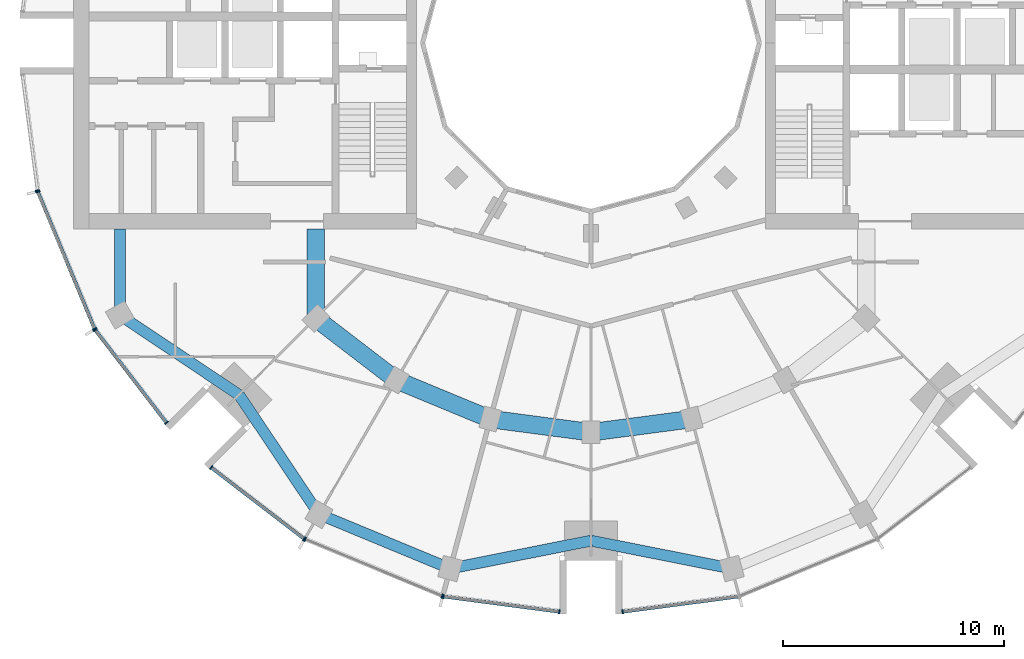
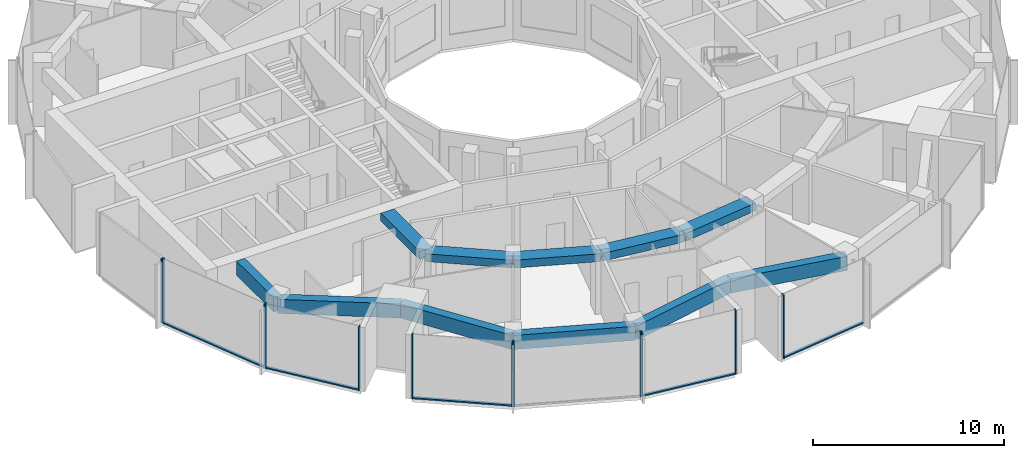
# One storey, part 2 of 15: 17 members, 11 beams, 7 elements without a shape of their own.
"""IFC4 building model written with IfcOpenShell, lengths in metres."""

from ifc_helpers import new_model, si_unit, direction, frame, origin, origin_2d, place, context, subcontext, project, spatial, rectangle, extrude, material, layer, layer_set, material_profile, profile_set, type_object, element, aggregate, save


model = new_model("IFC4")

# Units and contexts
model_context = context("Model", 3, precision=1e-05, world=origin(), true_north=direction((0.0, 1.0)))
body_context = subcontext(model_context, "Body", "Model", "MODEL_VIEW")
ifc_project = project(units=[si_unit("LENGTHUNIT", "METRE"), si_unit("AREAUNIT", "SQUARE_METRE"), si_unit("VOLUMEUNIT", "CUBIC_METRE"), si_unit("PLANEANGLEUNIT", "RADIAN"), si_unit("MASSUNIT", "GRAM", prefix="KILO")], contexts=[model_context])

# Site, building, storey
site_placement = place(None, origin())
site = spatial("IfcSite", under=ifc_project, at=site_placement, CompositionType="ELEMENT")
building_placement = place(site_placement, origin())
building = spatial("IfcBuilding", under=site, at=building_placement, Name="Torre Brocal", CompositionType="ELEMENT")
storey_placement = place(building_placement, frame((0.0, 0.0, 202.800048828125)))
storey = spatial("IfcBuildingStorey", under=building, at=storey_placement, Name="L47", CompositionType="ELEMENT", Elevation=202.800048828125)

# Curtain wall, members
ifc_material_1 = material(Name="Aluminium and glass", Category="aluminium")
ifc_layer_1 = layer(ifc_material_1, 0.199951171875)
ifc_layer_set_1 = layer_set([ifc_layer_1], Name="Aluminium and glass")
curtain_wall_type_1 = type_object("IfcCurtainWallType", Name="CW-1 CURTAIN WALL 4100 HIGH", PredefinedType="NOTDEFINED", material=ifc_layer_set_1)
curtain_wall_1_placement = place(storey_placement, origin())
curtain_wall_1 = element("IfcCurtainWall", 1, at=curtain_wall_1_placement, inside=storey, type_object=curtain_wall_type_1, Name="CW-1 RUN 14", PredefinedType="NOTDEFINED")
ifc_material_2 = material(Name="Aluminium, dark anodised", Category="aluminium")
ifc_material_profile_1 = material_profile(ifc_material_2, rectangle(XDim=0.199951171875, YDim=0.06005859375, at=origin_2d()), Name="CW-1 MULLION 60X200")
ifc_profile_set_1 = profile_set([ifc_material_profile_1], Name="Aluminium, dark anodised")
member_type_1 = type_object("IfcMemberType", Name="CW-1 MULLION 60X200", PredefinedType="MULLION", material=ifc_profile_set_1)
member_1_placement = place(storey_placement, frame((54.994873046875, 68.26904296875, 0.0), z_axis=(0.0, 0.0, 1.0), x_axis=(0.923879532525, 0.382683432333, 0.0)))
member_1 = element("IfcMember", 2, at=member_1_placement, type_object=member_type_1, Name="CW1-4 mullion 1", PredefinedType="MULLION", context=body_context, shape_type="SweptSolid", body=[
    extrude(rectangle(XDim=0.199951171875, YDim=0.06005859375, at=origin_2d()), origin(), (0.0, 0.0, 1.0), 4.099853515625),
])
member_2_placement = place(storey_placement, frame((57.559326171875, 62.078125, 0.0), z_axis=(0.0, 0.0, 1.0), x_axis=(0.923879532525, 0.382683432333, 0.0)))
member_2 = element("IfcMember", 3, at=member_2_placement, type_object=member_type_1, Name="CW1-4 mullion 2", PredefinedType="MULLION", context=body_context, shape_type="SweptSolid", body=[
    extrude(rectangle(XDim=0.199951171875, YDim=0.06005859375, at=origin_2d()), origin(), (0.0, 0.0, 1.0), 4.099853515625),
])

curtain_wall_2_placement = place(storey_placement, origin())
curtain_wall_2 = element("IfcCurtainWall", 4, at=curtain_wall_2_placement, inside=storey, type_object=curtain_wall_type_1, Name="CW-1 RUN 15", PredefinedType="NOTDEFINED")
member_3_placement = place(storey_placement, frame((57.5888671875, 62.026611328125, 0.0), z_axis=(0.0, 0.0, 1.0), x_axis=(0.793353340259, 0.60876142905, 0.0)))
member_3 = element("IfcMember", 5, at=member_3_placement, type_object=member_type_1, Name="CW1-4 mullion 1", PredefinedType="MULLION", context=body_context, shape_type="SweptSolid", body=[
    extrude(rectangle(XDim=0.199951171875, YDim=0.06005859375, at=origin_2d()), origin(), (0.0, 0.0, 1.0), 4.099853515625),
])
member_4_placement = place(storey_placement, frame((60.80859375, 57.83056640625, 0.0), z_axis=(0.0, 0.0, 1.0), x_axis=(0.793353340259, 0.60876142905, 0.0)))
member_4 = element("IfcMember", 6, at=member_4_placement, type_object=member_type_1, Name="CW1-4 mullion 2", PredefinedType="MULLION", context=body_context, shape_type="SweptSolid", body=[
    extrude(rectangle(XDim=0.199951171875, YDim=0.06005859375, at=origin_2d()), origin(), (0.0, 0.0, 1.0), 4.099853515625),
])

curtain_wall_3_placement = place(storey_placement, origin())
curtain_wall_3 = element("IfcCurtainWall", 7, at=curtain_wall_3_placement, inside=storey, type_object=curtain_wall_type_1, Name="CW-1 RUN 16", PredefinedType="NOTDEFINED")
member_5_placement = place(storey_placement, frame((62.83056640625, 55.80859375, 0.0), z_axis=(0.0, 0.0, 1.0), x_axis=(0.60876142905, 0.793353340259, 0.0)))
member_5 = element("IfcMember", 8, at=member_5_placement, type_object=member_type_1, Name="CW1-4 mullion 1", PredefinedType="MULLION", context=body_context, shape_type="SweptSolid", body=[
    extrude(rectangle(XDim=0.199951171875, YDim=0.06005859375, at=origin_2d()), origin(), (0.0, 0.0, 1.0), 4.099853515625),
])
member_6_placement = place(storey_placement, frame((67.026611328125, 52.5888671875, 0.0), z_axis=(0.0, 0.0, 1.0), x_axis=(0.60876142905, 0.793353340259, 0.0)))
member_6 = element("IfcMember", 9, at=member_6_placement, type_object=member_type_1, Name="CW1-4 mullion 2", PredefinedType="MULLION", context=body_context, shape_type="SweptSolid", body=[
    extrude(rectangle(XDim=0.199951171875, YDim=0.06005859375, at=origin_2d()), origin(), (0.0, 0.0, 1.0), 4.099853515625),
])

curtain_wall_4_placement = place(storey_placement, origin())
curtain_wall_4 = element("IfcCurtainWall", 10, at=curtain_wall_4_placement, inside=storey, type_object=curtain_wall_type_1, Name="CW-1 RUN 17", PredefinedType="NOTDEFINED")
member_7_placement = place(storey_placement, frame((67.078125, 52.559326171875, 0.0), z_axis=(0.0, 0.0, 1.0), x_axis=(0.382683432333, 0.923879532525, 0.0)))
member_7 = element("IfcMember", 11, at=member_7_placement, type_object=member_type_1, Name="CW1-4 mullion 1", PredefinedType="MULLION", context=body_context, shape_type="SweptSolid", body=[
    extrude(rectangle(XDim=0.199951171875, YDim=0.06005859375, at=origin_2d()), origin(), (0.0, 0.0, 1.0), 4.099853515625),
])
member_8_placement = place(storey_placement, frame((73.26904296875, 49.994873046875, 0.0), z_axis=(0.0, 0.0, 1.0), x_axis=(0.382683432333, 0.923879532525, 0.0)))
member_8 = element("IfcMember", 12, at=member_8_placement, type_object=member_type_1, Name="CW1-4 mullion 2", PredefinedType="MULLION", context=body_context, shape_type="SweptSolid", body=[
    extrude(rectangle(XDim=0.199951171875, YDim=0.06005859375, at=origin_2d()), origin(), (0.0, 0.0, 1.0), 4.099853515625),
])
aggregate(curtain_wall_4, [member_7, member_8])

curtain_wall_5_placement = place(storey_placement, origin())
curtain_wall_5 = element("IfcCurtainWall", 13, at=curtain_wall_5_placement, inside=storey, type_object=curtain_wall_type_1, Name="CW-1 RUN 18", PredefinedType="NOTDEFINED")
member_9_placement = place(storey_placement, frame((73.32666015625, 49.9794921875, 0.0), z_axis=(0.0, 0.0, 1.0), x_axis=(0.13052619222, 0.991444861374, 0.0)))
member_9 = element("IfcMember", 14, at=member_9_placement, type_object=member_type_1, Name="CW1-4 mullion 1", PredefinedType="MULLION", context=body_context, shape_type="SweptSolid", body=[
    extrude(rectangle(XDim=0.199951171875, YDim=0.06005859375, at=origin_2d()), origin(), (0.0, 0.0, 1.0), 4.099853515625),
])
member_10_placement = place(storey_placement, frame((78.5703125, 49.2890625, 0.0), z_axis=(0.0, 0.0, 1.0), x_axis=(0.13052619222, 0.991444861374, 0.0)))
member_10 = element("IfcMember", 15, at=member_10_placement, type_object=member_type_1, Name="CW1-4 mullion 2", PredefinedType="MULLION", context=body_context, shape_type="SweptSolid", body=[
    extrude(rectangle(XDim=0.199951171875, YDim=0.06005859375, at=origin_2d()), origin(), (0.0, 0.0, 1.0), 4.099853515625),
])

# Curtain wall, member
curtain_wall_6_placement = place(storey_placement, origin())
curtain_wall_6 = element("IfcCurtainWall", 16, at=curtain_wall_6_placement, inside=storey, type_object=curtain_wall_type_1, Name="CW-1 RUN 19", PredefinedType="NOTDEFINED")
member_11_placement = place(storey_placement, frame((81.4296875, 49.2890625, 0.0), z_axis=(0.0, 0.0, 1.0), x_axis=(-0.13052619222, 0.991444861374, 0.0)))
member_11 = element("IfcMember", 17, at=member_11_placement, type_object=member_type_1, Name="CW1-4 mullion 1", PredefinedType="MULLION", context=body_context, shape_type="SweptSolid", body=[
    extrude(rectangle(XDim=0.199951171875, YDim=0.06005859375, at=origin_2d()), origin(), (0.0, 0.0, 1.0), 4.099853515625),
])

# Member
ifc_material_3 = material(Name="Aluminium, dark anodised", Category="aluminium")
ifc_material_profile_2 = material_profile(ifc_material_3, rectangle(XDim=0.159912109375, YDim=0.080078125, at=origin_2d()), Name="CW-1 TRANSOM 160X80")
ifc_profile_set_2 = profile_set([ifc_material_profile_2], Name="Aluminium, dark anodised")
member_type_2 = type_object("IfcMemberType", Name="CW-1 TRANSOM 160X80", PredefinedType="USERDEFINED", material=ifc_profile_set_2)
member_12_placement = place(storey_placement, frame((55.00634765625, 68.241455078125, 0.0400390625), z_axis=(0.38266457234, -0.923887344364, 0.0), x_axis=(0.923887344364, 0.38266457234, 0.0)))
member_12 = element("IfcMember", 18, at=member_12_placement, type_object=member_type_2, Name="CW1-4 transom 1.1", ObjectType="TRANSOM", PredefinedType="USERDEFINED", context=body_context, shape_type="SweptSolid", body=[
    extrude(rectangle(XDim=0.159912109375, YDim=0.080078125, at=origin_2d()), origin(), (0.0, 0.0, 1.0), 6.640869140625),
])

aggregate(curtain_wall_1, [member_1, member_2, member_12])

member_13_placement = place(storey_placement, frame((57.607177734375, 62.0029296875, 0.0400390625), z_axis=(0.60874908096, -0.79336281513, 0.0), x_axis=(0.79336281513, 0.60874908096, 0.0)))
member_13 = element("IfcMember", 19, at=member_13_placement, type_object=member_type_2, Name="CW1-4 transom 1.1", ObjectType="TRANSOM", PredefinedType="USERDEFINED", context=body_context, shape_type="SweptSolid", body=[
    extrude(rectangle(XDim=0.159912109375, YDim=0.080078125, at=origin_2d()), origin(), (0.0, 0.0, 1.0), 5.22900390625),
])

aggregate(curtain_wall_2, [member_3, member_4, member_13])

member_14_placement = place(storey_placement, frame((62.8544921875, 55.790283203125, 0.0400390625), z_axis=(0.79336281513, -0.60874908096, 0.0), x_axis=(0.60874908096, 0.79336281513, 0.0)))
member_14 = element("IfcMember", 20, at=member_14_placement, type_object=member_type_2, Name="CW1-4 transom 1.1", ObjectType="TRANSOM", PredefinedType="USERDEFINED", context=body_context, shape_type="SweptSolid", body=[
    extrude(rectangle(XDim=0.159912109375, YDim=0.080078125, at=origin_2d()), origin(), (0.0, 0.0, 1.0), 5.22900390625),
])

aggregate(curtain_wall_3, [member_5, member_6, member_14])

member_15_placement = place(storey_placement, frame((73.356201171875, 49.9755859375, 0.0400390625), z_axis=(0.991442690863, -0.130542677827, 0.0), x_axis=(0.130542677827, 0.991442690863, 0.0)))
member_15 = element("IfcMember", 21, at=member_15_placement, type_object=member_type_2, Name="CW1-4 transom 1.1", ObjectType="TRANSOM", PredefinedType="USERDEFINED", context=body_context, shape_type="SweptSolid", body=[
    extrude(rectangle(XDim=0.159912109375, YDim=0.080078125, at=origin_2d()), origin(), (0.0, 0.0, 1.0), 5.22900390625),
])

aggregate(curtain_wall_5, [member_9, member_10, member_15])

member_16_placement = place(storey_placement, frame((81.45947265625, 49.29296875, 0.0400390625), z_axis=(0.991442690863, 0.130542677827, 0.0), x_axis=(-0.130542677827, 0.991442690863, 0.0)))
member_16 = element("IfcMember", 22, at=member_16_placement, type_object=member_type_2, Name="CW1-4 transom 1.1", ObjectType="TRANSOM", PredefinedType="USERDEFINED", context=body_context, shape_type="SweptSolid", body=[
    extrude(rectangle(XDim=0.159912109375, YDim=0.080078125, at=origin_2d()), origin(), (0.0, 0.0, 1.0), 5.22900390625),
])

aggregate(curtain_wall_6, [member_11, member_16])

# Curtain wall, member
ifc_material_4 = material(Name="Aluminium and glass", Category="aluminium")
ifc_layer_2 = layer(ifc_material_4, 0.199951171875)
ifc_layer_set_2 = layer_set([ifc_layer_2], Name="Aluminium and glass")
curtain_wall_type_2 = type_object("IfcCurtainWallType", Name="CW-1B CURTAIN WALL 4100 HIGH", PredefinedType="NOTDEFINED", material=ifc_layer_set_2)
curtain_wall_7_placement = place(storey_placement, origin())
curtain_wall_7 = element("IfcCurtainWall", 23, at=curtain_wall_7_placement, inside=storey, type_object=curtain_wall_type_2, Name="CW-1B RUN 13", PredefinedType="NOTDEFINED")
ifc_material_5 = material(Name="Aluminium, dark anodised", Category="aluminium")
ifc_material_profile_3 = material_profile(ifc_material_5, rectangle(XDim=0.199951171875, YDim=0.06005859375, at=origin_2d()), Name="CW-1B MULLION 60X200")
ifc_profile_set_3 = profile_set([ifc_material_profile_3], Name="Aluminium, dark anodised")
member_type_3 = type_object("IfcMemberType", Name="CW-1B MULLION 60X200", PredefinedType="MULLION", material=ifc_profile_set_3)
member_17_placement = place(storey_placement, frame((54.9794921875, 68.32666015625, 0.0), z_axis=(0.0, 0.0, 1.0), x_axis=(0.991444861374, 0.13052619222, 0.0)))
member_17 = element("IfcMember", 24, at=member_17_placement, type_object=member_type_3, Name="CW1B-4 mullion 2", PredefinedType="MULLION", context=body_context, shape_type="SweptSolid", body=[
    extrude(rectangle(XDim=0.199951171875, YDim=0.06005859375, at=origin_2d()), origin(), (0.0, 0.0, 1.0), 4.099853515625),
])
aggregate(curtain_wall_7, [member_17])

# Beams
ifc_material_6 = material(Name="Concrete C50", Category="concrete")
ifc_material_profile_4 = material_profile(ifc_material_6, rectangle(XDim=0.800048828125, YDim=0.5, at=origin_2d()), Name="RC 800X500")
ifc_profile_set_4 = profile_set([ifc_material_profile_4], Name="Concrete C50")
beam_type_1 = type_object("IfcBeamType", Name="RC BEAM 800X500 C50 TOP 3750", PredefinedType="BEAM", material=ifc_profile_set_4)
beam_1_placement = place(storey_placement, frame((67.554931640625, 62.554931640625, 3.5), z_axis=(0.0, 1.0, 0.0), x_axis=(-1.0, 0.0, 0.0)))
element("IfcBeam", 25, at=beam_1_placement, inside=storey, type_object=beam_type_1, Name="Beam BT-34", PredefinedType="BEAM", context=body_context, shape_type="SweptSolid", body=[
    extrude(rectangle(XDim=0.800048828125, YDim=0.5, at=origin_2d()), origin(), (0.0, 0.0, 1.0), 4.045166015625),
])
beam_2_placement = place(storey_placement, frame((67.554931640625, 62.554931640625, 3.5), z_axis=(0.793358265959, -0.6087550097, 0.0), x_axis=(0.6087550097, 0.793358265959, 0.0)))
element("IfcBeam", 26, at=beam_2_placement, inside=storey, type_object=beam_type_1, Name="Beam BT-34", PredefinedType="BEAM", context=body_context, shape_type="SweptSolid", body=[
    extrude(rectangle(XDim=0.800048828125, YDim=0.5, at=origin_2d()), origin(), (0.0, 0.0, 1.0), 4.594482421875),
])
beam_3_placement = place(storey_placement, frame((71.199951171875, 59.758056640625, 3.5), z_axis=(0.923878240166, -0.382686552348, 0.0), x_axis=(0.382686552348, 0.923878240166, 0.0)))
element("IfcBeam", 27, at=beam_3_placement, inside=storey, type_object=beam_type_1, Name="Beam BT-34", PredefinedType="BEAM", context=body_context, shape_type="SweptSolid", body=[
    extrude(rectangle(XDim=0.800048828125, YDim=0.5, at=origin_2d()), origin(), (0.0, 0.0, 1.0), 4.5947265625),
])
for number, where, z_axis, x_axis, name in (
    (28, (75.44482421875, 57.999755859375, 3.5), (0.991440544449, -0.130558978332, 0.0), (0.130558978332, 0.991440544449, 0.0), "Beam BT-34"),
    (29, (80.0, 57.39990234375, 3.5), (0.991440544449, 0.130558978332, 0.0), (-0.130558978332, 0.991440544449, 0.0), "Beam BT-34"),
):
    element("IfcBeam", number, at=place(storey_placement, frame(where, z_axis=z_axis, x_axis=x_axis)), inside=storey, type_object=beam_type_1, Name=name, PredefinedType="BEAM", context=body_context, shape_type="SweptSolid", body=[
        extrude(rectangle(XDim=0.800048828125, YDim=0.5, at=origin_2d()), origin(), (0.0, 0.0, 1.0), 4.594482421875),
    ])
ifc_material_7 = material(Name="Concrete C50", Category="concrete")
ifc_material_profile_5 = material_profile(ifc_material_7, rectangle(XDim=0.5, YDim=0.89990234375, at=origin_2d()), Name="RC 500X900")
ifc_profile_set_5 = profile_set([ifc_material_profile_5], Name="Concrete C50")
beam_type_2 = type_object("IfcBeamType", Name="RC SPANDREL BEAM 500X900 C50 TOP 3750", PredefinedType="SPANDREL", material=ifc_profile_set_5)
beam_4_placement = place(storey_placement, frame((58.69580078125, 62.699951171875, 3.300048828125), z_axis=(0.0, 1.0, 0.0), x_axis=(-1.0, 0.0, 0.0)))
element("IfcBeam", 30, at=beam_4_placement, inside=storey, type_object=beam_type_2, Name="Beam BT-35", PredefinedType="SPANDREL", context=body_context, shape_type="SweptSolid", body=[
    extrude(rectangle(XDim=0.5, YDim=0.89990234375, at=origin_2d()), origin(), (0.0, 0.0, 1.0), 3.900146484375),
])
for number, where, z_axis, x_axis, name in (
    (31, (58.69580078125, 62.699951171875, 3.300048828125), (0.831076844476, -0.556157602282, 0.0), (0.556157602282, 0.831076844476, 0.0), "Beam BT-35"),
    (32, (64.090087890625, 59.090087890625, 3.300048828125), (0.556157602282, -0.831076844476, 0.0), (0.831076844476, 0.556157602282, 0.0), "Beam BT-35"),
):
    element("IfcBeam", number, at=place(storey_placement, frame(where, z_axis=z_axis, x_axis=x_axis)), inside=storey, type_object=beam_type_2, Name=name, PredefinedType="SPANDREL", context=body_context, shape_type="SweptSolid", body=[
        extrude(rectangle(XDim=0.5, YDim=0.89990234375, at=origin_2d()), origin(), (0.0, 0.0, 1.0), 6.49072265625),
    ])
beam_5_placement = place(storey_placement, frame((67.699951171875, 53.69580078125, 3.300048828125), z_axis=(0.923882462513, -0.382676358639, 0.0), x_axis=(0.382676358639, 0.923882462513, 0.0)))
element("IfcBeam", 33, at=beam_5_placement, inside=storey, type_object=beam_type_2, Name="Beam BT-35", PredefinedType="SPANDREL", context=body_context, shape_type="SweptSolid", body=[
    extrude(rectangle(XDim=0.5, YDim=0.89990234375, at=origin_2d()), origin(), (0.0, 0.0, 1.0), 6.421875),
])
for number, where, z_axis, x_axis, name in (
    (34, (73.633056640625, 51.23828125, 3.300048828125), (0.980924907484, 0.194387051723, 0.0), (-0.194387051723, 0.980924907484, 0.0), "Beam BT-35"),
    (35, (80.0, 52.5, 3.300048828125), (0.980924907484, -0.194387051723, 0.0), (0.194387051723, 0.980924907484, 0.0), "Beam BT-35"),
):
    element("IfcBeam", number, at=place(storey_placement, frame(where, z_axis=z_axis, x_axis=x_axis)), inside=storey, type_object=beam_type_2, Name=name, PredefinedType="SPANDREL", context=body_context, shape_type="SweptSolid", body=[
        extrude(rectangle(XDim=0.5, YDim=0.89990234375, at=origin_2d()), origin(), (0.0, 0.0, 1.0), 6.49072265625),
    ])

save(model, "model.ifc")
